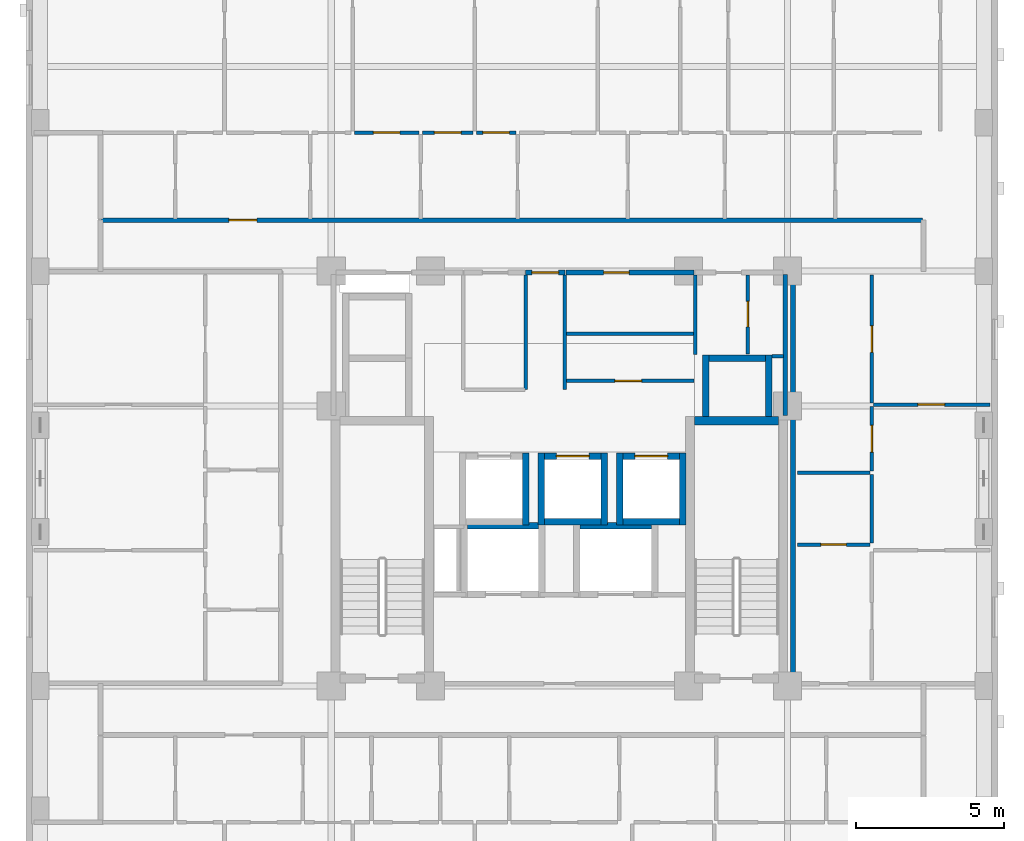
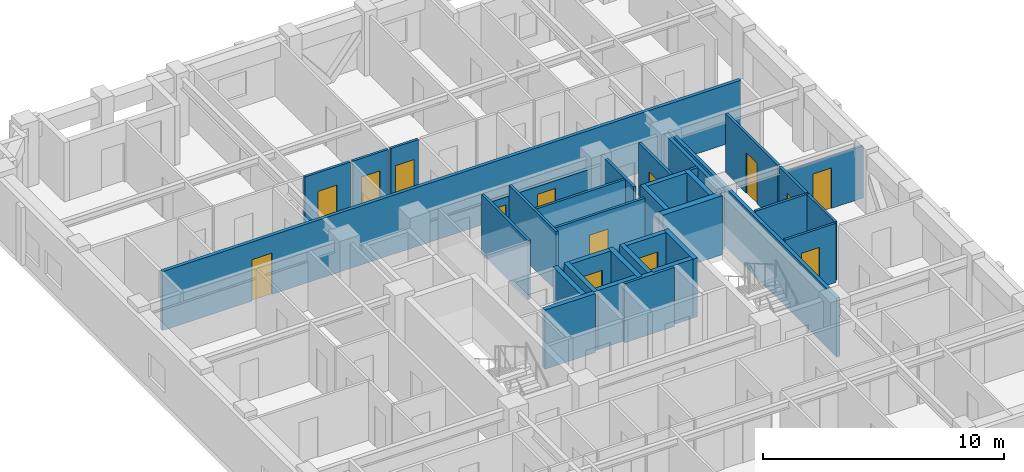
# One storey, part 6 of 11: 36 walls, 14 doors, 14 openings.
"""IFC4 building model written with IfcOpenShell, lengths in metres."""

from ifc_helpers import new_model, si_unit, derived_unit, direction, frame, frame_2d, origin, place, context, subcontext, project, spatial, rectangle, extrude, material, layer, layer_set, type_object, element, fill, save


model = new_model("IFC4")

# Units and contexts
model_context = context("Model", 3, precision=1e-05, world=origin(), true_north=direction((0.0, 1.0)))
body_context = subcontext(model_context, "Body", "Model", "MODEL_VIEW")
ifc_project = project(units=[si_unit("LENGTHUNIT", "METRE"), si_unit("AREAUNIT", "SQUARE_METRE"), si_unit("VOLUMEUNIT", "CUBIC_METRE"), si_unit("PLANEANGLEUNIT", "RADIAN"), si_unit("MASSUNIT", "GRAM", prefix="KILO"), derived_unit("THERMALTRANSMITTANCEUNIT", [(si_unit("MASSUNIT", "GRAM", prefix="KILO"), 1), (si_unit("TIMEUNIT", "SECOND"), -3), (si_unit("THERMODYNAMICTEMPERATUREUNIT", "KELVIN"), -1)])], contexts=[model_context])

# Site, building, storey
site_placement = place(None, origin())
site = spatial("IfcSite", under=ifc_project, at=site_placement, CompositionType="ELEMENT")
building_placement = place(site_placement, origin())
building = spatial("IfcBuilding", under=site, at=building_placement, Name="Korrvale Station Residences", CompositionType="ELEMENT")
storey_placement = place(building_placement, frame((0.0, 0.0, 150.39990234375)))
storey = spatial("IfcBuildingStorey", under=building, at=storey_placement, Name="L43", CompositionType="ELEMENT", Elevation=150.39990234375)

# Walls
ifc_material_1 = material(Name="Concrete C60/75", Category="concrete")
ifc_layer_1 = layer(ifc_material_1, 0.300048828125, Name="Concrete C60/75")
ifc_layer_set_1 = layer_set([ifc_layer_1], Name="Concrete C60/75")
wall_type_1 = type_object("IfcWallType", Name="WAL-CORE-300-C60", PredefinedType="SHEAR", material=ifc_layer_set_1)
wall_1_placement = place(storey_placement, frame((30.050048828125, 23.949951171875, 0.0), z_axis=(0.0, 0.0, 1.0), x_axis=(1.0, 0.0, 0.0)))
element("IfcWall", 1, at=wall_1_placement, inside=storey, type_object=wall_type_1, Name="L43 ST-2 Core Shear Wall North", PredefinedType="SHEAR", context=body_context, shape_type="SweptSolid", body=[
    extrude(rectangle(XDim=2.849853515625, YDim=0.300048828125, at=frame_2d((1.4248046875, 0.0))), origin(), (0.0, 0.0, 1.0), 2.989990234375),
])
ifc_material_2 = material(Name="Acoustic steel-stud gypsum board partition", Category="steel")
ifc_layer_2 = layer(ifc_material_2, 0.1201171875, Name="Acoustic steel-stud gypsum board partition")
ifc_layer_set_2 = layer_set([ifc_layer_2], Name="Acoustic steel-stud gypsum board partition")
wall_type_2 = type_object("IfcWallType", Name="WAL-PART-125", PredefinedType="PARTITIONING", material=ifc_layer_set_2)
for number, where, z_axis, x_axis, name in (
    (2, (24.360107421875, 25.0, 0.0), (0.0, 0.0, 1.0), (0.0, 1.0, 0.0), "L43 Core Partition CW-PSG-W"),
    (3, (25.679931640625, 25.0, 0.0), (0.0, 0.0, 1.0), (0.0, 1.0, 0.0), "L43 Core Partition CW-PSG-E"),
):
    element("IfcWall", number, at=place(storey_placement, frame(where, z_axis=z_axis, x_axis=x_axis)), inside=storey, type_object=wall_type_2, Name=name, PredefinedType="PARTITIONING", context=body_context, shape_type="SweptSolid", body=[
        extrude(rectangle(XDim=3.8701171875, YDim=0.1201171875, at=frame_2d((1.93505859375, 0.0))), origin(), (0.0, 0.0, 1.0), 2.989990234375),
    ])
wall_2_placement = place(storey_placement, frame((30.080078125, 26.179931640625, 0.0), z_axis=(0.0, 0.0, 1.0), x_axis=(0.0, 1.0, 0.0)))
element("IfcWall", 4, at=wall_2_placement, inside=storey, type_object=wall_type_2, Name="L43 Core Partition CW-CS-W", PredefinedType="PARTITIONING", context=body_context, shape_type="SweptSolid", body=[
    extrude(rectangle(XDim=2.68017578125, YDim=0.1201171875, at=frame_2d((1.340087890625, 0.0))), origin(), (0.0, 0.0, 1.0), 2.989990234375),
])
wall_3_placement = place(storey_placement, frame((32.679931640625, 26.1201171875, 0.0), z_axis=(0.0, 0.0, 1.0), x_axis=(1.0, 0.0, 0.0)))
element("IfcWall", 5, at=wall_3_placement, inside=storey, type_object=wall_type_2, Name="L43 Core Partition CW-CS-S", PredefinedType="PARTITIONING", context=body_context, shape_type="SweptSolid", body=[
    extrude(rectangle(XDim=0.380126953125, YDim=0.1201171875, at=frame_2d((0.18994140625, 0.0))), origin(), (0.0, 0.0, 1.0), 2.989990234375),
])

# Wall, opening, door
wall_4_placement = place(storey_placement, frame((31.860107421875, 26.199951171875, 0.0), z_axis=(0.0, 0.0, 1.0), x_axis=(0.0, 1.0, 0.0)))
wall_4 = element("IfcWall", 6, at=wall_4_placement, inside=storey, type_object=wall_type_2, Name="L43 Core Partition CW-CS-MID", PredefinedType="PARTITIONING", context=body_context, shape_type="SweptSolid", body=[
    extrude(rectangle(XDim=2.66015625, YDim=0.1201171875, at=frame_2d((1.330078125, 0.0))), origin(), (0.0, 0.0, 1.0), 2.989990234375),
])
opening_1_placement = place(wall_4_placement, frame((0.919921875, 0.0, 0.0)))
opening_1 = element("IfcOpeningElement", 7, at=opening_1_placement, cuts=wall_4, Name="Opening DB-860", PredefinedType="OPENING", context=body_context, shape_type="SweptSolid", body=[
    extrude(rectangle(XDim=0.860107421875, YDim=2.050048828125, at=frame_2d((0.43017578125, 1.02490234375))), frame((0.0, 0.070068359375, 0.0), z_axis=(0.0, -1.0, 0.0), x_axis=(1.0, 0.0, 0.0)), (0.0, 0.0, 1.0), 0.14013671875),
])
ifc_material_3 = material(Name="Moisture-resistant solid-core bathroom door", Category="timber")
door_type_1 = type_object("IfcDoorType", Name="DR-BATH-860", OperationType="NOTDEFINED", PredefinedType="DOOR", material=ifc_material_3)
door_1_placement = place(opening_1_placement, origin())
door_1 = element("IfcDoor", 8, at=door_1_placement, inside=storey, type_object=door_type_1, Name="L43 Metering Inner Door", OperationType="SINGLE_SWING_LEFT", OverallHeight=2.050048828125, OverallWidth=0.860107421875, PredefinedType="DOOR", context=body_context, shape_type="SweptSolid", body=[
    extrude(rectangle(XDim=0.860107421875, YDim=2.050048828125, at=frame_2d((0.43017578125, 1.02490234375))), frame((0.0, 0.02490234375, 0.0), z_axis=(0.0, -1.0, 0.0), x_axis=(1.0, 0.0, 0.0)), (0.0, 0.0, 1.0), 0.050048828125),
])
fill(opening_1, door_1)

# Wall
wall_5_placement = place(storey_placement, frame((25.719970703125, 26.8798828125, 0.0), z_axis=(0.0, 0.0, 1.0), x_axis=(1.0, 0.0, 0.0)))
element("IfcWall", 9, at=wall_5_placement, inside=storey, type_object=wall_type_2, Name="L43 Core Partition CW-FPLE-H", PredefinedType="PARTITIONING", context=body_context, shape_type="SweptSolid", body=[
    extrude(rectangle(XDim=4.320068359375, YDim=0.1201171875, at=frame_2d((2.16015625, 0.0))), origin(), (0.0, 0.0, 1.0), 2.989990234375),
])

# Wall, opening, door
wall_6_placement = place(storey_placement, frame((25.719970703125, 25.300048828125, 0.0), z_axis=(0.0, 0.0, 1.0), x_axis=(1.0, 0.0, 0.0)))
wall_6 = element("IfcWall", 10, at=wall_6_placement, inside=storey, type_object=wall_type_2, Name="L43 Core Partition CW-FPLE-S", PredefinedType="PARTITIONING", context=body_context, shape_type="SweptSolid", body=[
    extrude(rectangle(XDim=4.320068359375, YDim=0.1201171875, at=frame_2d((2.16015625, 0.0))), origin(), (0.0, 0.0, 1.0), 2.989990234375),
])
opening_2_placement = place(wall_6_placement, frame((1.64990234375, 0.0, 0.0)))
opening_2 = element("IfcOpeningElement", 11, at=opening_2_placement, cuts=wall_6, Name="Opening DI-900", PredefinedType="OPENING", context=body_context, shape_type="SweptSolid", body=[
    extrude(rectangle(XDim=0.89990234375, YDim=2.050048828125, at=frame_2d((0.449951171875, 1.02490234375))), frame((0.0, 0.070068359375, 0.0), z_axis=(0.0, -1.0, 0.0), x_axis=(1.0, 0.0, 0.0)), (0.0, 0.0, 1.0), 0.14013671875),
])
ifc_material_4 = material(Name="Painted solid-core timber interior room door", Category="wood")
door_type_2 = type_object("IfcDoorType", Name="DR-INT-900", OperationType="NOTDEFINED", PredefinedType="DOOR", material=ifc_material_4)
door_2_placement = place(opening_2_placement, origin())
door_2 = element("IfcDoor", 12, at=door_2_placement, inside=storey, type_object=door_type_2, Name="L43 Housekeeping Linen Door", OperationType="SINGLE_SWING_RIGHT", OverallHeight=2.050048828125, OverallWidth=0.89990234375, PredefinedType="DOOR", context=body_context, shape_type="SweptSolid", body=[
    extrude(rectangle(XDim=0.89990234375, YDim=2.050048828125, at=frame_2d((0.449951171875, 1.02490234375))), frame((0.0, 0.02490234375, 0.0), z_axis=(0.0, -1.0, 0.0), x_axis=(1.0, 0.0, 0.0)), (0.0, 0.0, 1.0), 0.050048828125),
])
fill(opening_2, door_2)

wall_7_placement = place(storey_placement, frame((18.580078125, 33.669921875, 0.0), z_axis=(0.0, 0.0, 1.0), x_axis=(1.0, 0.0, 0.0)))
wall_7 = element("IfcWall", 13, at=wall_7_placement, inside=storey, type_object=wall_type_2, Name="L43 Suite Partition U02-H210", PredefinedType="PARTITIONING", context=body_context, shape_type="SweptSolid", body=[
    extrude(rectangle(XDim=2.179931640625, YDim=0.1201171875, at=frame_2d((1.08984375, 0.0))), origin(), (0.0, 0.0, 1.0), 2.989990234375),
])
opening_3_placement = place(wall_7_placement, frame((0.639892578125, 0.0, 0.0)))
opening_3 = element("IfcOpeningElement", 14, at=opening_3_placement, cuts=wall_7, Name="Opening DI-900", PredefinedType="OPENING", context=body_context, shape_type="SweptSolid", body=[
    extrude(rectangle(XDim=0.89990234375, YDim=2.050048828125, at=frame_2d((0.449951171875, 1.02490234375))), frame((0.0, 0.070068359375, 0.0), z_axis=(0.0, -1.0, 0.0), x_axis=(1.0, 0.0, 0.0)), (0.0, 0.0, 1.0), 0.14013671875),
])
door_3_placement = place(opening_3_placement, origin())
door_3 = element("IfcDoor", 15, at=door_3_placement, inside=storey, type_object=door_type_2, Name="L43 Apartment 3BR L43-U02 Utility and Laundry Room Door", OperationType="SINGLE_SWING_RIGHT", OverallHeight=2.050048828125, OverallWidth=0.89990234375, PredefinedType="DOOR", context=body_context, shape_type="SweptSolid", body=[
    extrude(rectangle(XDim=0.89990234375, YDim=2.050048828125, at=frame_2d((0.449951171875, 1.02490234375))), frame((0.0, 0.02490234375, 0.0), z_axis=(0.0, -1.0, 0.0), x_axis=(1.0, 0.0, 0.0)), (0.0, 0.0, 1.0), 0.050048828125),
])
fill(opening_3, door_3)

wall_8_placement = place(storey_placement, frame((20.8798828125, 33.669921875, 0.0), z_axis=(0.0, 0.0, 1.0), x_axis=(1.0, 0.0, 0.0)))
wall_8 = element("IfcWall", 16, at=wall_8_placement, inside=storey, type_object=wall_type_2, Name="L43 Suite Partition U02-H310", PredefinedType="PARTITIONING", context=body_context, shape_type="SweptSolid", body=[
    extrude(rectangle(XDim=1.7001953125, YDim=0.1201171875, at=frame_2d((0.85009765625, 0.0))), origin(), (0.0, 0.0, 1.0), 2.989990234375),
])
opening_4_placement = place(wall_8_placement, frame((0.39990234375, 0.0, 0.0)))
opening_4 = element("IfcOpeningElement", 17, at=opening_4_placement, cuts=wall_8, Name="Opening DI-900", PredefinedType="OPENING", context=body_context, shape_type="SweptSolid", body=[
    extrude(rectangle(XDim=0.89990234375, YDim=2.050048828125, at=frame_2d((0.449951171875, 1.02490234375))), frame((0.0, 0.070068359375, 0.0), z_axis=(0.0, -1.0, 0.0), x_axis=(1.0, 0.0, 0.0)), (0.0, 0.0, 1.0), 0.14013671875),
])
door_4_placement = place(opening_4_placement, origin())
door_4 = element("IfcDoor", 18, at=door_4_placement, inside=storey, type_object=door_type_2, Name="L43 Apartment 3BR L43-U02 Storage Closet 2 Door", OperationType="SINGLE_SWING_RIGHT", OverallHeight=2.050048828125, OverallWidth=0.89990234375, PredefinedType="DOOR", context=body_context, shape_type="SweptSolid", body=[
    extrude(rectangle(XDim=0.89990234375, YDim=2.050048828125, at=frame_2d((0.449951171875, 1.02490234375))), frame((0.0, 0.02490234375, 0.0), z_axis=(0.0, -1.0, 0.0), x_axis=(1.0, 0.0, 0.0)), (0.0, 0.0, 1.0), 0.050048828125),
])
fill(opening_4, door_4)

wall_9_placement = place(storey_placement, frame((22.699951171875, 33.669921875, 0.0), z_axis=(0.0, 0.0, 1.0), x_axis=(1.0, 0.0, 0.0)))
wall_9 = element("IfcWall", 19, at=wall_9_placement, inside=storey, type_object=wall_type_2, Name="L43 Suite Partition U02-H311", PredefinedType="PARTITIONING", context=body_context, shape_type="SweptSolid", body=[
    extrude(rectangle(XDim=1.330078125, YDim=0.1201171875, at=frame_2d((0.6650390625, 0.0))), origin(), (0.0, 0.0, 1.0), 2.989990234375),
])
opening_5_placement = place(wall_9_placement, frame((0.215087890625, 0.0, 0.0)))
opening_5 = element("IfcOpeningElement", 20, at=opening_5_placement, cuts=wall_9, Name="Opening DI-900", PredefinedType="OPENING", context=body_context, shape_type="SweptSolid", body=[
    extrude(rectangle(XDim=0.89990234375, YDim=2.050048828125, at=frame_2d((0.449951171875, 1.02490234375))), frame((0.0, 0.070068359375, 0.0), z_axis=(0.0, -1.0, 0.0), x_axis=(1.0, 0.0, 0.0)), (0.0, 0.0, 1.0), 0.14013671875),
])
door_5_placement = place(opening_5_placement, origin())
door_5 = element("IfcDoor", 21, at=door_5_placement, inside=storey, type_object=door_type_2, Name="L43 Apartment 3BR L43-U02 Storage Closet 2 Door", OperationType="SINGLE_SWING_LEFT", OverallHeight=2.050048828125, OverallWidth=0.89990234375, PredefinedType="DOOR", context=body_context, shape_type="SweptSolid", body=[
    extrude(rectangle(XDim=0.89990234375, YDim=2.050048828125, at=frame_2d((0.449951171875, 1.02490234375))), frame((0.0, 0.02490234375, 0.0), z_axis=(0.0, -1.0, 0.0), x_axis=(1.0, 0.0, 0.0)), (0.0, 0.0, 1.0), 0.050048828125),
])
fill(opening_5, door_5)

# Wall
wall_10_placement = place(storey_placement, frame((33.530029296875, 22.18994140625, 0.0), z_axis=(0.0, 0.0, 1.0), x_axis=(1.0, 0.0, 0.0)))
element("IfcWall", 22, at=wall_10_placement, inside=storey, type_object=wall_type_2, Name="L43 Suite Partition U04-H01", PredefinedType="PARTITIONING", context=body_context, shape_type="SweptSolid", body=[
    extrude(rectangle(XDim=2.449951171875, YDim=0.1201171875, at=frame_2d((1.22509765625, 0.0))), origin(), (0.0, 0.0, 1.0), 2.989990234375),
])

# Wall, opening, door
wall_11_placement = place(storey_placement, frame((36.0400390625, 22.25, 0.0), z_axis=(0.0, 0.0, 1.0), x_axis=(0.0, 1.0, 0.0)))
wall_11 = element("IfcWall", 23, at=wall_11_placement, inside=storey, type_object=wall_type_2, Name="L43 Suite Partition U04-V04", PredefinedType="PARTITIONING", context=body_context, shape_type="SweptSolid", body=[
    extrude(rectangle(XDim=2.181884765625, YDim=0.1201171875, at=frame_2d((1.0908203125, 0.0))), origin(), (0.0, 0.0, 1.0), 2.989990234375),
])
opening_6_placement = place(wall_11_placement, frame((0.64111328125, 0.0, 0.0)))
opening_6 = element("IfcOpeningElement", 24, at=opening_6_placement, cuts=wall_11, Name="Opening DI-900", PredefinedType="OPENING", context=body_context, shape_type="SweptSolid", body=[
    extrude(rectangle(XDim=0.89990234375, YDim=2.050048828125, at=frame_2d((0.449951171875, 1.02490234375))), frame((0.0, 0.070068359375, 0.0), z_axis=(0.0, -1.0, 0.0), x_axis=(1.0, 0.0, 0.0)), (0.0, 0.0, 1.0), 0.14013671875),
])
door_6_placement = place(opening_6_placement, origin())
door_6 = element("IfcDoor", 25, at=door_6_placement, inside=storey, type_object=door_type_2, Name="L43 Apartment 2BR L43-U04 Wardrobe Storage Room Door", OperationType="SINGLE_SWING_LEFT", OverallHeight=2.050048828125, OverallWidth=0.89990234375, PredefinedType="DOOR", context=body_context, shape_type="SweptSolid", body=[
    extrude(rectangle(XDim=0.89990234375, YDim=2.050048828125, at=frame_2d((0.449951171875, 1.02490234375))), frame((0.0, 0.02490234375, 0.0), z_axis=(0.0, -1.0, 0.0), x_axis=(1.0, 0.0, 0.0)), (0.0, 0.0, 1.0), 0.050048828125),
])
fill(opening_6, door_6)

wall_12_placement = place(storey_placement, frame((36.0400390625, 24.552001953125, 0.0), z_axis=(0.0, 0.0, 1.0), x_axis=(0.0, 1.0, 0.0)))
wall_12 = element("IfcWall", 26, at=wall_12_placement, inside=storey, type_object=wall_type_2, Name="L43 Suite Partition U04-V05", PredefinedType="PARTITIONING", context=body_context, shape_type="SweptSolid", body=[
    extrude(rectangle(XDim=4.30810546875, YDim=0.1201171875, at=frame_2d((2.154052734375, 0.0))), origin(), (0.0, 0.0, 1.0), 2.989990234375),
])
opening_7_placement = place(wall_12_placement, frame((1.7041015625, 0.0, 0.0)))
opening_7 = element("IfcOpeningElement", 27, at=opening_7_placement, cuts=wall_12, Name="Opening DI-900", PredefinedType="OPENING", context=body_context, shape_type="SweptSolid", body=[
    extrude(rectangle(XDim=0.89990234375, YDim=2.050048828125, at=frame_2d((0.449951171875, 1.02490234375))), frame((0.0, 0.070068359375, 0.0), z_axis=(0.0, -1.0, 0.0), x_axis=(1.0, 0.0, 0.0)), (0.0, 0.0, 1.0), 0.14013671875),
])
door_7_placement = place(opening_7_placement, origin())
door_7 = element("IfcDoor", 28, at=door_7_placement, inside=storey, type_object=door_type_2, Name="L43 Apartment 2BR L43-U04 Wardrobe Storage Room Door", OperationType="SINGLE_SWING_RIGHT", OverallHeight=2.050048828125, OverallWidth=0.89990234375, PredefinedType="DOOR", context=body_context, shape_type="SweptSolid", body=[
    extrude(rectangle(XDim=0.89990234375, YDim=2.050048828125, at=frame_2d((0.449951171875, 1.02490234375))), frame((0.0, 0.02490234375, 0.0), z_axis=(0.0, -1.0, 0.0), x_axis=(1.0, 0.0, 0.0)), (0.0, 0.0, 1.0), 0.050048828125),
])
fill(opening_7, door_7)

wall_13_placement = place(storey_placement, frame((33.530029296875, 19.77001953125, 0.0), z_axis=(0.0, 0.0, 1.0), x_axis=(1.0, 0.0, 0.0)))
wall_13 = element("IfcWall", 29, at=wall_13_placement, inside=storey, type_object=wall_type_2, Name="L43 Suite Partition U04-H12", PredefinedType="PARTITIONING", context=body_context, shape_type="SweptSolid", body=[
    extrude(rectangle(XDim=2.449951171875, YDim=0.1201171875, at=frame_2d((1.22509765625, 0.0))), origin(), (0.0, 0.0, 1.0), 2.989990234375),
])
opening_8_placement = place(wall_13_placement, frame((0.794921875, 0.0, 0.0)))
opening_8 = element("IfcOpeningElement", 30, at=opening_8_placement, cuts=wall_13, Name="Opening DB-860", PredefinedType="OPENING", context=body_context, shape_type="SweptSolid", body=[
    extrude(rectangle(XDim=0.860107421875, YDim=2.050048828125, at=frame_2d((0.43017578125, 1.02490234375))), frame((0.0, 0.070068359375, 0.0), z_axis=(0.0, -1.0, 0.0), x_axis=(1.0, 0.0, 0.0)), (0.0, 0.0, 1.0), 0.14013671875),
])
door_8_placement = place(opening_8_placement, origin())
door_8 = element("IfcDoor", 31, at=door_8_placement, inside=storey, type_object=door_type_1, Name="L43 Apartment 2BR L43-U04 Bathroom Door", OperationType="SINGLE_SWING_LEFT", OverallHeight=2.050048828125, OverallWidth=0.860107421875, PredefinedType="DOOR", context=body_context, shape_type="SweptSolid", body=[
    extrude(rectangle(XDim=0.860107421875, YDim=2.050048828125, at=frame_2d((0.43017578125, 1.02490234375))), frame((0.0, 0.02490234375, 0.0), z_axis=(0.0, -1.0, 0.0), x_axis=(1.0, 0.0, 0.0)), (0.0, 0.0, 1.0), 0.050048828125),
])
fill(opening_8, door_8)

# Wall
wall_14_placement = place(storey_placement, frame((36.0400390625, 19.830078125, 0.0), z_axis=(0.0, 0.0, 1.0), x_axis=(0.0, 1.0, 0.0)))
element("IfcWall", 32, at=wall_14_placement, inside=storey, type_object=wall_type_2, Name="L43 Suite Partition U04-V14", PredefinedType="PARTITIONING", context=body_context, shape_type="SweptSolid", body=[
    extrude(rectangle(XDim=2.2998046875, YDim=0.1201171875, at=frame_2d((1.14990234375, 0.0))), origin(), (0.0, 0.0, 1.0), 2.989990234375),
])

# Wall, opening, door
wall_15_placement = place(storey_placement, frame((36.10009765625, 24.491943359375, 0.0), z_axis=(0.0, 0.0, 1.0), x_axis=(1.0, 0.0, 0.0)))
wall_15 = element("IfcWall", 33, at=wall_15_placement, inside=storey, type_object=wall_type_2, Name="L43 Suite Partition U04-H45", PredefinedType="PARTITIONING", context=body_context, shape_type="SweptSolid", body=[
    extrude(rectangle(XDim=3.919921875, YDim=0.1201171875, at=frame_2d((1.9599609375, 0.0))), origin(), (0.0, 0.0, 1.0), 2.62109375),
])
opening_9_placement = place(wall_15_placement, frame((1.4951171875, 0.0, 0.0)))
opening_9 = element("IfcOpeningElement", 34, at=opening_9_placement, cuts=wall_15, Name="Opening DI-900", PredefinedType="OPENING", context=body_context, shape_type="SweptSolid", body=[
    extrude(rectangle(XDim=0.89990234375, YDim=2.050048828125, at=frame_2d((0.449951171875, 1.02490234375))), frame((0.0, 0.070068359375, 0.0), z_axis=(0.0, -1.0, 0.0), x_axis=(1.0, 0.0, 0.0)), (0.0, 0.0, 1.0), 0.14013671875),
])
door_9_placement = place(opening_9_placement, origin())
door_9 = element("IfcDoor", 35, at=door_9_placement, inside=storey, type_object=door_type_2, Name="L43 Apartment 2BR L43-U04 Living and Dining Room Door", OperationType="SINGLE_SWING_RIGHT", OverallHeight=2.050048828125, OverallWidth=0.89990234375, PredefinedType="DOOR", context=body_context, shape_type="SweptSolid", body=[
    extrude(rectangle(XDim=0.89990234375, YDim=2.050048828125, at=frame_2d((0.449951171875, 1.02490234375))), frame((0.0, 0.02490234375, 0.0), z_axis=(0.0, -1.0, 0.0), x_axis=(1.0, 0.0, 0.0)), (0.0, 0.0, 1.0), 0.050048828125),
])
fill(opening_9, door_9)

# Wall
ifc_material_5 = material(Name="Fire-rated twin-stud gypsum and mineral wool shaftwall assembly", Category="gypsum")
ifc_layer_3 = layer(ifc_material_5, 0.159912109375, Name="Fire-rated twin-stud gypsum and mineral wool shaftwall assembly")
ifc_layer_set_3 = layer_set([ifc_layer_3], Name="Fire-rated twin-stud gypsum and mineral wool shaftwall assembly")
wall_type_3 = type_object("IfcWallType", Name="WAL-PART-200", PredefinedType="PARTITIONING", material=ifc_layer_set_3)
wall_16_placement = place(storey_placement, frame((33.1201171875, 24.1201171875, 0.0), z_axis=(0.0, 0.0, 1.0), x_axis=(0.0, 1.0, 0.0)))
element("IfcWall", 36, at=wall_16_placement, inside=storey, type_object=wall_type_3, Name="L43 Core Partition CW-E-N", PredefinedType="PARTITIONING", context=body_context, shape_type="SweptSolid", body=[
    extrude(rectangle(XDim=4.759765625, YDim=0.159912109375, at=frame_2d((2.3798828125, 0.0))), origin(), (0.0, 0.0, 1.0), 2.989990234375),
])

# Wall, opening, door
wall_17_placement = place(storey_placement, frame((24.360107421875, 28.949951171875, 0.0), z_axis=(0.0, 0.0, 1.0), x_axis=(1.0, 0.0, 0.0)))
wall_17 = element("IfcWall", 37, at=wall_17_placement, inside=storey, type_object=wall_type_3, Name="L43 Core Partition CW-LLOB-N", PredefinedType="PARTITIONING", context=body_context, shape_type="SweptSolid", body=[
    extrude(rectangle(XDim=1.31982421875, YDim=0.159912109375, at=frame_2d((0.659912109375, 0.0))), origin(), (0.0, 0.0, 1.0), 2.442138671875),
])
opening_10_placement = place(wall_17_placement, frame((0.2099609375, 0.0, 0.0)))
opening_10 = element("IfcOpeningElement", 38, at=opening_10_placement, cuts=wall_17, Name="Opening DI-900", PredefinedType="OPENING", context=body_context, shape_type="SweptSolid", body=[
    extrude(rectangle(XDim=0.89990234375, YDim=2.050048828125, at=frame_2d((0.449951171875, 1.02490234375))), frame((0.0, 0.08984375, 0.0), z_axis=(0.0, -1.0, 0.0), x_axis=(1.0, 0.0, 0.0)), (0.0, 0.0, 1.0), 0.179931640625),
])
door_10_placement = place(opening_10_placement, origin())
door_10 = element("IfcDoor", 39, at=door_10_placement, inside=storey, type_object=door_type_2, Name="L43 Central Hallway North Passage Door", OperationType="SINGLE_SWING_LEFT", OverallHeight=2.050048828125, OverallWidth=0.89990234375, PredefinedType="DOOR", context=body_context, shape_type="SweptSolid", body=[
    extrude(rectangle(XDim=0.89990234375, YDim=2.050048828125, at=frame_2d((0.449951171875, 1.02490234375))), frame((0.0, 0.02490234375, 0.0), z_axis=(0.0, -1.0, 0.0), x_axis=(1.0, 0.0, 0.0)), (0.0, 0.0, 1.0), 0.050048828125),
])
fill(opening_10, door_10)

wall_18_placement = place(storey_placement, frame((25.719970703125, 28.949951171875, 0.0), z_axis=(0.0, 0.0, 1.0), x_axis=(1.0, 0.0, 0.0)))
wall_18 = element("IfcWall", 40, at=wall_18_placement, inside=storey, type_object=wall_type_3, Name="L43 Core Partition CW-FPLE-N", PredefinedType="PARTITIONING", context=body_context, shape_type="SweptSolid", body=[
    extrude(rectangle(XDim=4.320068359375, YDim=0.159912109375, at=frame_2d((2.16015625, 0.0))), origin(), (0.0, 0.0, 1.0), 2.442138671875),
])
opening_11_placement = place(wall_18_placement, frame((1.27001953125, 0.0, 0.0)))
opening_11 = element("IfcOpeningElement", 41, at=opening_11_placement, cuts=wall_18, Name="Opening DB-860", PredefinedType="OPENING", context=body_context, shape_type="SweptSolid", body=[
    extrude(rectangle(XDim=0.860107421875, YDim=2.050048828125, at=frame_2d((0.43017578125, 1.02490234375))), frame((0.0, 0.08984375, 0.0), z_axis=(0.0, -1.0, 0.0), x_axis=(1.0, 0.0, 0.0)), (0.0, 0.0, 1.0), 0.179931640625),
])
door_11_placement = place(opening_11_placement, origin())
door_11 = element("IfcDoor", 42, at=door_11_placement, inside=storey, type_object=door_type_1, Name="L43 Luggage Store Door", OperationType="SINGLE_SWING_LEFT", OverallHeight=2.050048828125, OverallWidth=0.860107421875, PredefinedType="DOOR", context=body_context, shape_type="SweptSolid", body=[
    extrude(rectangle(XDim=0.860107421875, YDim=2.050048828125, at=frame_2d((0.43017578125, 1.02490234375))), frame((0.0, 0.02490234375, 0.0), z_axis=(0.0, -1.0, 0.0), x_axis=(1.0, 0.0, 0.0)), (0.0, 0.0, 1.0), 0.050048828125),
])
fill(opening_11, door_11)

wall_19_placement = place(storey_placement, frame((10.050048828125, 30.719970703125, 0.0), z_axis=(0.0, 0.0, 1.0), x_axis=(1.0, 0.0, 0.0)))
wall_19 = element("IfcWall", 43, at=wall_19_placement, inside=storey, type_object=wall_type_3, Name="L43 Rated Corridor Wall N", PredefinedType="PARTITIONING", context=body_context, shape_type="SweptSolid", body=[
    extrude(rectangle(XDim=27.699951171875, YDim=0.159912109375, at=frame_2d((13.85009765625, 0.0))), origin(), (0.0, 0.0, 1.0), 2.989990234375),
])
opening_12_placement = place(wall_19_placement, frame((4.294921875, 0.0, 0.0)))
opening_12 = element("IfcOpeningElement", 44, at=opening_12_placement, cuts=wall_19, Name="Opening UD-950", PredefinedType="OPENING", context=body_context, shape_type="SweptSolid", body=[
    extrude(rectangle(XDim=0.949951171875, YDim=2.10009765625, at=frame_2d((0.47509765625, 1.050048828125))), frame((0.0, 0.08984375, 0.0), z_axis=(0.0, -1.0, 0.0), x_axis=(1.0, 0.0, 0.0)), (0.0, 0.0, 1.0), 0.179931640625),
])
ifc_material_6 = material(Name="Solid-core acoustic oak apartment entrance door", Category="timber")
door_type_3 = type_object("IfcDoorType", Name="DR-UNIT-950", OperationType="NOTDEFINED", PredefinedType="DOOR", material=ifc_material_6)
door_12_placement = place(opening_12_placement, origin())
door_12 = element("IfcDoor", 45, at=door_12_placement, inside=storey, type_object=door_type_3, Name="L43 Apartment L43-U02 Entrance Door", OperationType="SINGLE_SWING_RIGHT", OverallHeight=2.10009765625, OverallWidth=0.949951171875, PredefinedType="DOOR", context=body_context, shape_type="SweptSolid", body=[
    extrude(rectangle(XDim=0.949951171875, YDim=2.10009765625, at=frame_2d((0.47509765625, 1.050048828125))), frame((0.0, 0.02490234375, 0.0), z_axis=(0.0, -1.0, 0.0), x_axis=(1.0, 0.0, 0.0)), (0.0, 0.0, 1.0), 0.050048828125),
])
fill(opening_12, door_12)

# Walls
wall_20_placement = place(storey_placement, frame((33.3798828125, 15.02001953125, 0.0), z_axis=(0.0, 0.0, 1.0), x_axis=(0.0, 1.0, 0.0)))
element("IfcWall", 46, at=wall_20_placement, inside=storey, type_object=wall_type_3, Name="L43 Rated Corridor Wall E", PredefinedType="PARTITIONING", context=body_context, shape_type="SweptSolid", body=[
    extrude(rectangle(XDim=13.97998046875, YDim=0.159912109375, at=frame_2d((6.989990234375, 0.0))), origin(), (0.0, 0.0, 1.0), 2.989990234375),
])
ifc_layer_4 = layer(ifc_material_1, 0.219970703125, Name="Concrete C60/75")
ifc_layer_set_4 = layer_set([ifc_layer_4], Name="Concrete C60/75")
wall_type_4 = type_object("IfcWallType", Name="WAL-SHAFT-220-C60", PredefinedType="SHEAR", material=ifc_layer_set_4)
wall_21_placement = place(storey_placement, frame((24.360107421875, 20.429931640625, 0.0), z_axis=(0.0, 0.0, 1.0), x_axis=(0.0, 1.0, 0.0)))
element("IfcWall", 47, at=wall_21_placement, inside=storey, type_object=wall_type_4, Name="L43 Elevator PM-1 Hoistway Wall East", PredefinedType="SHEAR", context=body_context, shape_type="SweptSolid", body=[
    extrude(rectangle(XDim=2.440185546875, YDim=0.219970703125, at=frame_2d((1.22021484375, 0.0))), origin(), (0.0, 0.0, 1.0), 2.989990234375),
])
wall_22_placement = place(storey_placement, frame((25.0, 20.5400390625, 0.0), z_axis=(0.0, 0.0, 1.0), x_axis=(1.0, 0.0, 0.0)))
element("IfcWall", 48, at=wall_22_placement, inside=storey, type_object=wall_type_4, Name="L43 Elevator PM-2 Hoistway Wall South", PredefinedType="SHEAR", context=body_context, shape_type="SweptSolid", body=[
    extrude(rectangle(XDim=1.89990234375, YDim=0.219970703125, at=frame_2d((0.949951171875, 0.0))), origin(), (0.0, 0.0, 1.0), 2.989990234375),
])

# Wall, opening, door
wall_23_placement = place(storey_placement, frame((25.0, 22.760009765625, 0.0), z_axis=(0.0, 0.0, 1.0), x_axis=(1.0, 0.0, 0.0)))
wall_23 = element("IfcWall", 49, at=wall_23_placement, inside=storey, type_object=wall_type_4, Name="L43 Elevator PM-2 Hoistway Wall North", PredefinedType="SHEAR", context=body_context, shape_type="SweptSolid", body=[
    extrude(rectangle(XDim=1.89990234375, YDim=0.219970703125, at=frame_2d((0.949951171875, 0.0))), origin(), (0.0, 0.0, 1.0), 2.989990234375),
])
opening_13_placement = place(wall_23_placement, frame((0.39990234375, 0.0, 0.0)))
opening_13 = element("IfcOpeningElement", 50, at=opening_13_placement, cuts=wall_23, Name="Opening LD-1100", PredefinedType="OPENING", context=body_context, shape_type="SweptSolid", body=[
    extrude(rectangle(XDim=1.10009765625, YDim=2.14990234375, at=frame_2d((0.550048828125, 1.074951171875))), frame((0.0, 0.1201171875, 0.0), z_axis=(0.0, -1.0, 0.0), x_axis=(1.0, 0.0, 0.0)), (0.0, 0.0, 1.0), 0.239990234375),
])
ifc_material_7 = material(Name="Brushed stainless-steel elevator landing sliding door", Category="steel")
door_type_4 = type_object("IfcDoorType", Name="DR-LIFT-1100", OperationType="SLIDING_TO_LEFT", PredefinedType="DOOR", material=ifc_material_7)
door_13_placement = place(opening_13_placement, origin())
door_13 = element("IfcDoor", 51, at=door_13_placement, inside=storey, type_object=door_type_4, Name="L43 Elevator PM-2 Sliding Landing Door", OperationType="SLIDING_TO_LEFT", OverallHeight=2.14990234375, OverallWidth=1.10009765625, PredefinedType="DOOR", context=body_context, shape_type="SweptSolid", body=[
    extrude(rectangle(XDim=1.10009765625, YDim=2.14990234375, at=frame_2d((0.550048828125, 1.074951171875))), frame((0.0, 0.02490234375, 0.0), z_axis=(0.0, -1.0, 0.0), x_axis=(1.0, 0.0, 0.0)), (0.0, 0.0, 1.0), 0.050048828125),
])
fill(opening_13, door_13)

# Walls
for number, where, z_axis, x_axis, name in (
    (52, (24.889892578125, 20.429931640625, 0.0), (0.0, 0.0, 1.0), (0.0, 1.0, 0.0), "L43 Elevator PM-2 Hoistway Wall West"),
    (53, (27.010009765625, 20.429931640625, 0.0), (0.0, 0.0, 1.0), (0.0, 1.0, 0.0), "L43 Elevator PM-2 Hoistway Wall East"),
):
    element("IfcWall", number, at=place(storey_placement, frame(where, z_axis=z_axis, x_axis=x_axis)), inside=storey, type_object=wall_type_4, Name=name, PredefinedType="SHEAR", context=body_context, shape_type="SweptSolid", body=[
        extrude(rectangle(XDim=2.440185546875, YDim=0.219970703125, at=frame_2d((1.22021484375, 0.0))), origin(), (0.0, 0.0, 1.0), 2.989990234375),
    ])
wall_24_placement = place(storey_placement, frame((27.64990234375, 20.5400390625, 0.0), z_axis=(0.0, 0.0, 1.0), x_axis=(1.0, 0.0, 0.0)))
element("IfcWall", 54, at=wall_24_placement, inside=storey, type_object=wall_type_4, Name="L43 Elevator PM-3 Hoistway Wall South", PredefinedType="SHEAR", context=body_context, shape_type="SweptSolid", body=[
    extrude(rectangle(XDim=1.900146484375, YDim=0.219970703125, at=frame_2d((0.9501953125, 0.0))), origin(), (0.0, 0.0, 1.0), 2.989990234375),
])

# Wall, opening, door
wall_25_placement = place(storey_placement, frame((27.64990234375, 22.760009765625, 0.0), z_axis=(0.0, 0.0, 1.0), x_axis=(1.0, 0.0, 0.0)))
wall_25 = element("IfcWall", 55, at=wall_25_placement, inside=storey, type_object=wall_type_4, Name="L43 Elevator PM-3 Hoistway Wall North", PredefinedType="SHEAR", context=body_context, shape_type="SweptSolid", body=[
    extrude(rectangle(XDim=1.900146484375, YDim=0.219970703125, at=frame_2d((0.9501953125, 0.0))), origin(), (0.0, 0.0, 1.0), 2.989990234375),
])
opening_14_placement = place(wall_25_placement, frame((0.39990234375, 0.0, 0.0)))
opening_14 = element("IfcOpeningElement", 56, at=opening_14_placement, cuts=wall_25, Name="Opening LD-1100", PredefinedType="OPENING", context=body_context, shape_type="SweptSolid", body=[
    extrude(rectangle(XDim=1.10009765625, YDim=2.14990234375, at=frame_2d((0.550048828125, 1.074951171875))), frame((0.0, 0.1201171875, 0.0), z_axis=(0.0, -1.0, 0.0), x_axis=(1.0, 0.0, 0.0)), (0.0, 0.0, 1.0), 0.239990234375),
])
door_14_placement = place(opening_14_placement, origin())
door_14 = element("IfcDoor", 57, at=door_14_placement, inside=storey, type_object=door_type_4, Name="L43 Elevator PM-3 Sliding Landing Door", OperationType="SLIDING_TO_LEFT", OverallHeight=2.14990234375, OverallWidth=1.10009765625, PredefinedType="DOOR", context=body_context, shape_type="SweptSolid", body=[
    extrude(rectangle(XDim=1.10009765625, YDim=2.14990234375, at=frame_2d((0.550048828125, 1.074951171875))), frame((0.0, 0.02490234375, 0.0), z_axis=(0.0, -1.0, 0.0), x_axis=(1.0, 0.0, 0.0)), (0.0, 0.0, 1.0), 0.050048828125),
])
fill(opening_14, door_14)

# Walls
for number, where, z_axis, x_axis, name in (
    (58, (27.5400390625, 20.429931640625, 0.0), (0.0, 0.0, 1.0), (0.0, 1.0, 0.0), "L43 Elevator PM-3 Hoistway Wall West"),
    (59, (29.659912109375, 20.429931640625, 0.0), (0.0, 0.0, 1.0), (0.0, 1.0, 0.0), "L43 Elevator PM-3 Hoistway Wall East"),
):
    element("IfcWall", number, at=place(storey_placement, frame(where, z_axis=z_axis, x_axis=x_axis)), inside=storey, type_object=wall_type_4, Name=name, PredefinedType="SHEAR", context=body_context, shape_type="SweptSolid", body=[
        extrude(rectangle(XDim=2.440185546875, YDim=0.219970703125, at=frame_2d((1.22021484375, 0.0))), origin(), (0.0, 0.0, 1.0), 2.989990234375),
    ])
wall_26_placement = place(storey_placement, frame((30.550048828125, 26.06005859375, 0.0), z_axis=(0.0, 0.0, 1.0), x_axis=(1.0, 0.0, 0.0)))
element("IfcWall", 60, at=wall_26_placement, inside=storey, type_object=wall_type_4, Name="L43 Elevator PH-3 Hoistway Wall North", PredefinedType="SHEAR", context=body_context, shape_type="SweptSolid", body=[
    extrude(rectangle(XDim=1.89990234375, YDim=0.219970703125, at=frame_2d((0.949951171875, 0.0))), origin(), (0.0, 0.0, 1.0), 2.989990234375),
])
for number, where, z_axis, x_axis, name in (
    (61, (30.43994140625, 24.10009765625, 0.0), (0.0, 0.0, 1.0), (0.0, 1.0, 0.0), "L43 Elevator PH-3 Hoistway Wall West"),
    (62, (32.56005859375, 24.10009765625, 0.0), (0.0, 0.0, 1.0), (0.0, 1.0, 0.0), "L43 Elevator PH-3 Hoistway Wall East"),
):
    element("IfcWall", number, at=place(storey_placement, frame(where, z_axis=z_axis, x_axis=x_axis)), inside=storey, type_object=wall_type_4, Name=name, PredefinedType="SHEAR", context=body_context, shape_type="SweptSolid", body=[
        extrude(rectangle(XDim=2.06982421875, YDim=0.219970703125, at=frame_2d((1.034912109375, 0.0))), origin(), (0.0, 0.0, 1.0), 2.989990234375),
    ])
for number, where, z_axis, x_axis, name in (
    (63, (22.39990234375, 20.409912109375, 0.0), (0.0, 0.0, 1.0), (1.0, 0.0, 0.0), "L43 Elevator FFL-1 Hoistway Wall North"),
    (64, (26.199951171875, 20.409912109375, 0.0), (0.0, 0.0, 1.0), (1.0, 0.0, 0.0), "L43 Elevator FFL-2 Hoistway Wall North"),
):
    element("IfcWall", number, at=place(storey_placement, frame(where, z_axis=z_axis, x_axis=x_axis)), inside=storey, type_object=wall_type_4, Name=name, PredefinedType="SHEAR", context=body_context, shape_type="SweptSolid", body=[
        extrude(rectangle(XDim=2.400146484375, YDim=0.219970703125, at=frame_2d((1.2001953125, 0.0))), origin(), (0.0, 0.0, 1.0), 2.989990234375),
    ])

save(model, "model.ifc")
